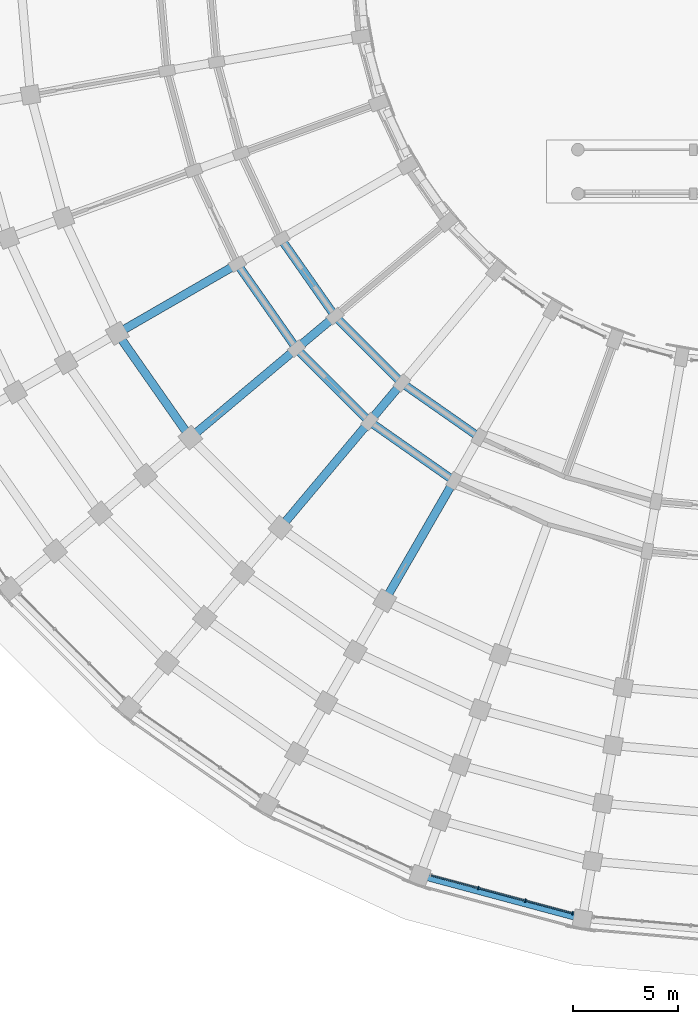
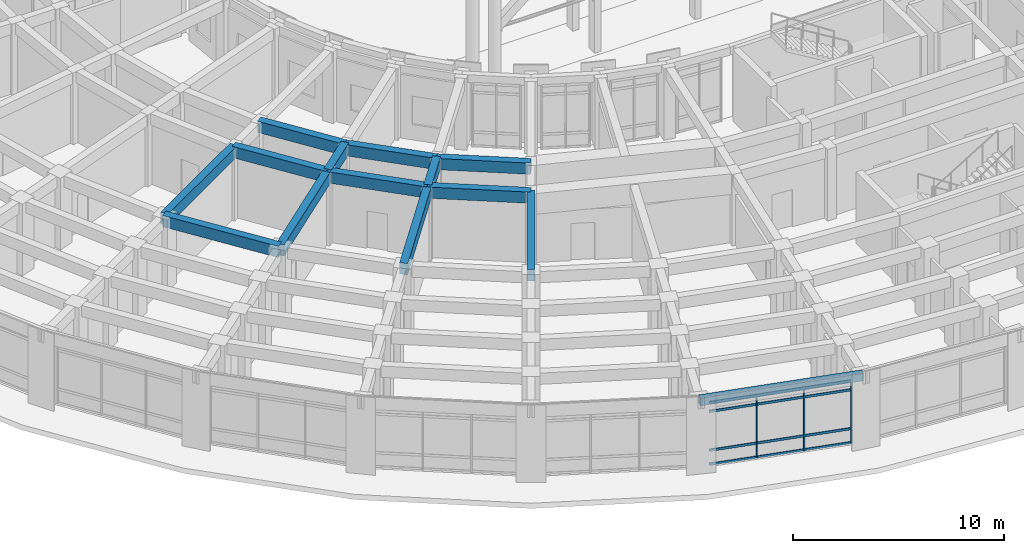
# One storey, part 15 of 135: 14 beams, 7 members, 1 element without a shape of its own.
"""IFC4 building model written with IfcOpenShell, lengths in metres."""

from ifc_helpers import new_model, si_unit, direction, frame, origin, origin_2d, place, context, subcontext, project, spatial, rectangle, extrude, material, material_profile, profile_set, type_object, element, aggregate, save


model = new_model("IFC4")

# Units and contexts
model_context = context("Model", 3, precision=1e-05, world=origin(), true_north=direction((0.0, 1.0)))
body_context = subcontext(model_context, "Body", "Model", "MODEL_VIEW")
ifc_project = project(units=[si_unit("LENGTHUNIT", "METRE"), si_unit("AREAUNIT", "SQUARE_METRE"), si_unit("VOLUMEUNIT", "CUBIC_METRE"), si_unit("PLANEANGLEUNIT", "RADIAN"), si_unit("MASSUNIT", "GRAM", prefix="KILO")], contexts=[model_context])

# Site, building, storey
site_placement = place(None, origin())
site = spatial("IfcSite", under=ifc_project, at=site_placement, CompositionType="ELEMENT")
building_placement = place(site_placement, origin())
building = spatial("IfcBuilding", under=site, at=building_placement, Name="Kiranvali Square Residences", CompositionType="ELEMENT")
storey_placement = place(building_placement, origin())
storey = spatial("IfcBuildingStorey", under=building, at=storey_placement, Name="L00", CompositionType="ELEMENT", Elevation=0.0)

# Beams
ifc_material_1 = material(Name="Concrete M45 (45 MPa)", Category="concrete")
ifc_material_profile_1 = material_profile(ifc_material_1, rectangle(XDim=0.39990234375, YDim=0.64990234375, at=origin_2d()), Name="RC 400x650")
ifc_profile_set_1 = profile_set([ifc_material_profile_1], Name="Concrete M45 (45 MPa)")
beam_type_1 = type_object("IfcBeamType", Name="BM-M45-400x650", PredefinedType="BEAM", material=ifc_profile_set_1)
beam_1_placement = place(storey_placement, frame((35.300048828125, 25.8564453125, 3.824951171875), z_axis=(-0.819155404658, 0.573571637217, 0.0), x_axis=(-0.573571637217, -0.819155404658, 0.0)))
element("IfcBeam", 1, at=beam_1_placement, inside=storey, type_object=beam_type_1, Name="L00 beam BM-C-L00-C03-R1", PredefinedType="BEAM", context=body_context, shape_type="SweptSolid", body=[
    extrude(rectangle(XDim=0.39990234375, YDim=0.64990234375, at=origin_2d()), origin(), (0.0, 0.0, 1.0), 4.497314453125),
])
beam_2_placement = place(storey_placement, frame((34.10009765625, 23.778076171875, 3.824951171875), z_axis=(-0.819140911474, 0.573592335331, 0.0), x_axis=(-0.573592335331, -0.819140911474, 0.0)))
element("IfcBeam", 2, at=beam_2_placement, inside=storey, type_object=beam_type_1, Name="L00 beam BM-C-L00-C03-R2", PredefinedType="BEAM", context=body_context, shape_type="SweptSolid", body=[
    extrude(rectangle(XDim=0.39990234375, YDim=0.64990234375, at=origin_2d()), origin(), (0.0, 0.0, 1.0), 4.915771484375),
])
beam_3_placement = place(storey_placement, frame((31.615966796875, 28.43603515625, 3.824951171875), z_axis=(-0.707106781187, 0.707106781187, 0.0), x_axis=(-0.707106781187, -0.707106781187, 0.0)))
element("IfcBeam", 3, at=beam_3_placement, inside=storey, type_object=beam_type_1, Name="L00 beam BM-C-L00-C04-R1", PredefinedType="BEAM", context=body_context, shape_type="SweptSolid", body=[
    extrude(rectangle(XDim=0.39990234375, YDim=0.64990234375, at=origin_2d()), origin(), (0.0, 0.0, 1.0), 4.4970703125),
])
beam_4_placement = place(storey_placement, frame((30.073486328125, 26.59765625, 3.824951171875), z_axis=(-0.707106781187, 0.707106781187, 0.0), x_axis=(-0.707106781187, -0.707106781187, 0.0)))
element("IfcBeam", 4, at=beam_4_placement, inside=storey, type_object=beam_type_1, Name="L00 beam BM-C-L00-C04-R2", PredefinedType="BEAM", context=body_context, shape_type="SweptSolid", body=[
    extrude(rectangle(XDim=0.39990234375, YDim=0.64990234375, at=origin_2d()), origin(), (0.0, 0.0, 1.0), 4.91552734375),
])
beam_5_placement = place(storey_placement, frame((28.43603515625, 31.615966796875, 3.824951171875), z_axis=(-0.573571637217, 0.819155404658, 0.0), x_axis=(-0.819155404658, -0.573571637217, 0.0)))
element("IfcBeam", 5, at=beam_5_placement, inside=storey, type_object=beam_type_1, Name="L00 beam BM-C-L00-C05-R1", PredefinedType="BEAM", context=body_context, shape_type="SweptSolid", body=[
    extrude(rectangle(XDim=0.39990234375, YDim=0.64990234375, at=origin_2d()), origin(), (0.0, 0.0, 1.0), 4.497314453125),
])
beam_6_placement = place(storey_placement, frame((26.59765625, 30.073486328125, 3.824951171875), z_axis=(-0.573592335331, 0.819140911474, 0.0), x_axis=(-0.819140911474, -0.573592335331, 0.0)))
element("IfcBeam", 6, at=beam_6_placement, inside=storey, type_object=beam_type_1, Name="L00 beam BM-C-L00-C05-R2", PredefinedType="BEAM", context=body_context, shape_type="SweptSolid", body=[
    extrude(rectangle(XDim=0.39990234375, YDim=0.64990234375, at=origin_2d()), origin(), (0.0, 0.0, 1.0), 4.915771484375),
])
beam_7_placement = place(storey_placement, frame((21.541748046875, 25.8310546875, 3.824951171875), z_axis=(-0.573594691504, 0.81913926159, 0.0), x_axis=(-0.81913926159, -0.573594691504, 0.0)))
element("IfcBeam", 7, at=beam_7_placement, inside=storey, type_object=beam_type_1, Name="L00 beam BM-C-L00-C05-R3", PredefinedType="BEAM", context=body_context, shape_type="SweptSolid", body=[
    extrude(rectangle(XDim=0.39990234375, YDim=0.64990234375, at=origin_2d()), origin(), (0.0, 0.0, 1.0), 6.066162109375),
])
beam_8_placement = place(storey_placement, frame((34.10009765625, 23.778076171875, 3.824951171875), z_axis=(-0.500002094529, -0.866024194504, 0.0), x_axis=(0.866024194504, -0.500002094529, 0.0)))
element("IfcBeam", 8, at=beam_8_placement, inside=storey, type_object=beam_type_1, Name="L00 beam BM-C-L00-RAD03-23", PredefinedType="BEAM", context=body_context, shape_type="SweptSolid", body=[
    extrude(rectangle(XDim=0.39990234375, YDim=0.64990234375, at=origin_2d()), origin(), (0.0, 0.0, 1.0), 6.60009765625),
])
beam_9_placement = place(storey_placement, frame((31.615966796875, 28.43603515625, 3.824951171875), z_axis=(-0.642762521781, -0.766065493671, 0.0), x_axis=(0.766065493671, -0.642762521781, 0.0)))
element("IfcBeam", 9, at=beam_9_placement, inside=storey, type_object=beam_type_1, Name="L00 beam BM-C-L00-RAD04-12", PredefinedType="BEAM", context=body_context, shape_type="SweptSolid", body=[
    extrude(rectangle(XDim=0.39990234375, YDim=0.64990234375, at=origin_2d()), origin(), (0.0, 0.0, 1.0), 2.399658203125),
])
beam_10_placement = place(storey_placement, frame((30.073486328125, 26.59765625, 3.824951171875), z_axis=(-0.642789470807, -0.766042881449, 0.0), x_axis=(0.766042881449, -0.642789470807, 0.0)))
element("IfcBeam", 10, at=beam_10_placement, inside=storey, type_object=beam_type_1, Name="L00 beam BM-C-L00-RAD04-23", PredefinedType="BEAM", context=body_context, shape_type="SweptSolid", body=[
    extrude(rectangle(XDim=0.39990234375, YDim=0.64990234375, at=origin_2d()), origin(), (0.0, 0.0, 1.0), 6.60009765625),
])
beam_11_placement = place(storey_placement, frame((28.43603515625, 31.615966796875, 3.824951171875), z_axis=(-0.766065493671, -0.642762521781, 0.0), x_axis=(0.642762521781, -0.766065493671, 0.0)))
element("IfcBeam", 11, at=beam_11_placement, inside=storey, type_object=beam_type_1, Name="L00 beam BM-C-L00-RAD05-12", PredefinedType="BEAM", context=body_context, shape_type="SweptSolid", body=[
    extrude(rectangle(XDim=0.39990234375, YDim=0.64990234375, at=origin_2d()), origin(), (0.0, 0.0, 1.0), 2.399658203125),
])
for number, where, z_axis, x_axis, name in (
    (12, (26.59765625, 30.073486328125, 3.824951171875), (-0.766042881449, -0.642789470807, 0.0), (0.642789470807, -0.766042881449, 0.0), "L00 beam BM-C-L00-RAD05-23"),
    (13, (23.778076171875, 34.10009765625, 3.824951171875), (-0.866024194504, -0.500002094529, 0.0), (0.500002094529, -0.866024194504, 0.0), "L00 beam BM-C-L00-RAD06-23"),
):
    element("IfcBeam", number, at=place(storey_placement, frame(where, z_axis=z_axis, x_axis=x_axis)), inside=storey, type_object=beam_type_1, Name=name, PredefinedType="BEAM", context=body_context, shape_type="SweptSolid", body=[
        extrude(rectangle(XDim=0.39990234375, YDim=0.64990234375, at=origin_2d()), origin(), (0.0, 0.0, 1.0), 6.60009765625),
    ])

# Curtain wall, members
ifc_material_2 = material(Name="Anodised bronze aluminium framing", Category="aluminium")
curtain_wall_type = type_object("IfcCurtainWallType", Name="CW-RET-SHOP", PredefinedType="USERDEFINED", material=ifc_material_2)
curtain_wall_placement = place(storey_placement, origin())
curtain_wall = element("IfcCurtainWall", 14, at=curtain_wall_placement, inside=storey, type_object=curtain_wall_type, Name="Block C L00 rounded-corner arcade curtain wall 2", ObjectType="CURTAIN WALL", PredefinedType="USERDEFINED")
ifc_material_profile_2 = material_profile(ifc_material_2, rectangle(XDim=0.06494140625, YDim=0.159912109375, at=origin_2d()), Name="ALU 65x160")
ifc_profile_set_2 = profile_set([ifc_material_profile_2], Name="Anodised bronze aluminium framing")
member_type_1 = type_object("IfcMemberType", Name="CW-MUL-160", PredefinedType="MULLION", material=ifc_profile_set_2)
member_1_placement = place(storey_placement, frame((39.748779296875, 3.17822265625, 0.02001953125), z_axis=(0.0, 0.0, 1.0), x_axis=(-0.965925826289, 0.258819045103, 0.0)))
member_1 = element("IfcMember", 15, at=member_1_placement, type_object=member_type_1, Name="CW-C-L00-CRV-01 vertical mullion 1", PredefinedType="MULLION", context=body_context, shape_type="SweptSolid", body=[
    extrude(rectangle(XDim=0.06494140625, YDim=0.159912109375, at=origin_2d()), origin(), (0.0, 0.0, 1.0), 3.60986328125),
])
member_2_placement = place(storey_placement, frame((37.501953125, 3.7802734375, 0.02001953125), z_axis=(0.0, 0.0, 1.0), x_axis=(-0.965925826289, 0.258819045103, 0.0)))
member_2 = element("IfcMember", 16, at=member_2_placement, type_object=member_type_1, Name="CW-C-L00-CRV-01 vertical mullion 2", PredefinedType="MULLION", context=body_context, shape_type="SweptSolid", body=[
    extrude(rectangle(XDim=0.06494140625, YDim=0.159912109375, at=origin_2d()), origin(), (0.0, 0.0, 1.0), 3.60986328125),
])
member_3_placement = place(storey_placement, frame((35.255126953125, 4.38232421875, 0.02001953125), z_axis=(0.0, 0.0, 1.0), x_axis=(-0.965925826289, 0.258819045103, 0.0)))
member_3 = element("IfcMember", 17, at=member_3_placement, type_object=member_type_1, Name="CW-C-L00-CRV-01 vertical mullion 3", PredefinedType="MULLION", context=body_context, shape_type="SweptSolid", body=[
    extrude(rectangle(XDim=0.06494140625, YDim=0.159912109375, at=origin_2d()), origin(), (0.0, 0.0, 1.0), 3.60986328125),
])
ifc_material_profile_3 = material_profile(ifc_material_2, rectangle(XDim=0.06494140625, YDim=0.139892578125, at=origin_2d()), Name="ALU 65x140")
ifc_profile_set_3 = profile_set([ifc_material_profile_3], Name="Anodised bronze aluminium framing")
member_type_2 = type_object("IfcMemberType", Name="CW-TRN-140", PredefinedType="MULLION", material=ifc_profile_set_3)
member_4_placement = place(storey_placement, frame((39.739013671875, 3.180908203125, 0.0400390625), z_axis=(-0.96592267958, 0.258830788495, 0.0), x_axis=(-0.258830788495, -0.96592267958, 0.0)))
member_4 = element("IfcMember", 18, at=member_4_placement, type_object=member_type_2, Name="CW-C-L00-CRV-01 horizontal transom 1", PredefinedType="MULLION", context=body_context, shape_type="SweptSolid", body=[
    extrude(rectangle(XDim=0.06494140625, YDim=0.139892578125, at=origin_2d()), origin(), (0.0, 0.0, 1.0), 6.958251953125),
])
member_5_placement = place(storey_placement, frame((39.739013671875, 3.180908203125, 0.85009765625), z_axis=(-0.96592267958, 0.258830788495, 0.0), x_axis=(-0.258830788495, -0.96592267958, 0.0)))
member_5 = element("IfcMember", 19, at=member_5_placement, type_object=member_type_2, Name="CW-C-L00-CRV-01 horizontal transom 2", PredefinedType="MULLION", context=body_context, shape_type="SweptSolid", body=[
    extrude(rectangle(XDim=0.06494140625, YDim=0.139892578125, at=origin_2d()), origin(), (0.0, 0.0, 1.0), 6.958251953125),
])
member_6_placement = place(storey_placement, frame((39.739013671875, 3.180908203125, 3.10009765625), z_axis=(-0.96592267958, 0.258830788495, 0.0), x_axis=(-0.258830788495, -0.96592267958, 0.0)))
member_6 = element("IfcMember", 20, at=member_6_placement, type_object=member_type_2, Name="CW-C-L00-CRV-01 horizontal transom 3", PredefinedType="MULLION", context=body_context, shape_type="SweptSolid", body=[
    extrude(rectangle(XDim=0.06494140625, YDim=0.139892578125, at=origin_2d()), origin(), (0.0, 0.0, 1.0), 6.958251953125),
])
member_7_placement = place(storey_placement, frame((39.739013671875, 3.180908203125, 3.610107421875), z_axis=(-0.96592267958, 0.258830788495, 0.0), x_axis=(-0.258830788495, -0.96592267958, 0.0)))
member_7 = element("IfcMember", 21, at=member_7_placement, type_object=member_type_2, Name="CW-C-L00-CRV-01 horizontal transom 4", PredefinedType="MULLION", context=body_context, shape_type="SweptSolid", body=[
    extrude(rectangle(XDim=0.06494140625, YDim=0.139892578125, at=origin_2d()), origin(), (0.0, 0.0, 1.0), 6.958251953125),
])
aggregate(curtain_wall, [member_1, member_2, member_3, member_4, member_5, member_6, member_7])

# Beam
ifc_material_3 = material(Name="Concrete M40 (40 MPa)", Category="concrete")
ifc_material_profile_4 = material_profile(ifc_material_3, rectangle(XDim=0.300048828125, YDim=0.449951171875, at=origin_2d()), Name="RC 300x450")
ifc_profile_set_4 = profile_set([ifc_material_profile_4], Name="Concrete M40 (40 MPa)")
beam_type_2 = type_object("IfcBeamType", Name="SPN-M40-300x450", PredefinedType="SPANDREL", material=ifc_profile_set_4)
beam_12_placement = place(storey_placement, frame((40.212158203125, 2.89892578125, 3.925048828125), z_axis=(-0.96592902462, 0.258807108475, 0.0), x_axis=(-0.258807108475, -0.96592902462, 0.0)))
element("IfcBeam", 22, at=beam_12_placement, inside=storey, type_object=beam_type_2, Name="L00 beam BM-C-L00-C01-R7", PredefinedType="SPANDREL", context=body_context, shape_type="SweptSolid", body=[
    extrude(rectangle(XDim=0.300048828125, YDim=0.449951171875, at=origin_2d()), origin(), (0.0, 0.0, 1.0), 8.018310546875),
])

save(model, "model.ifc")
